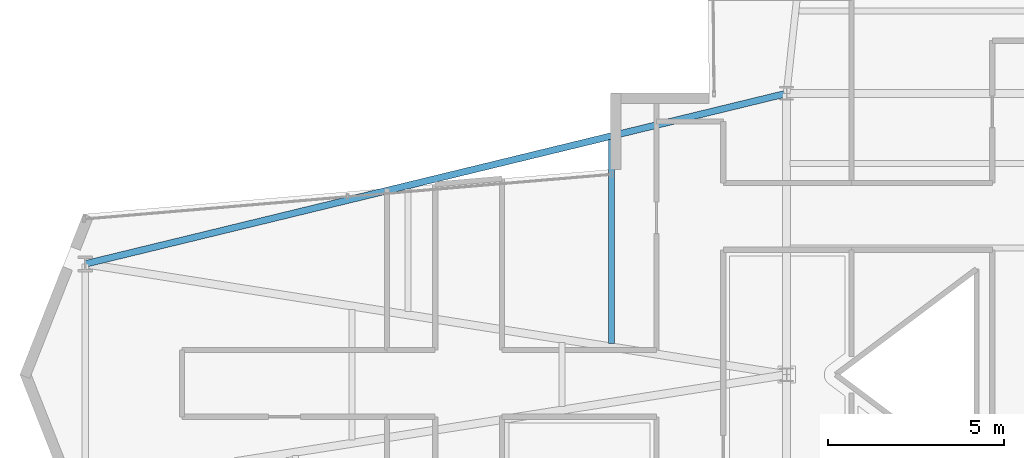
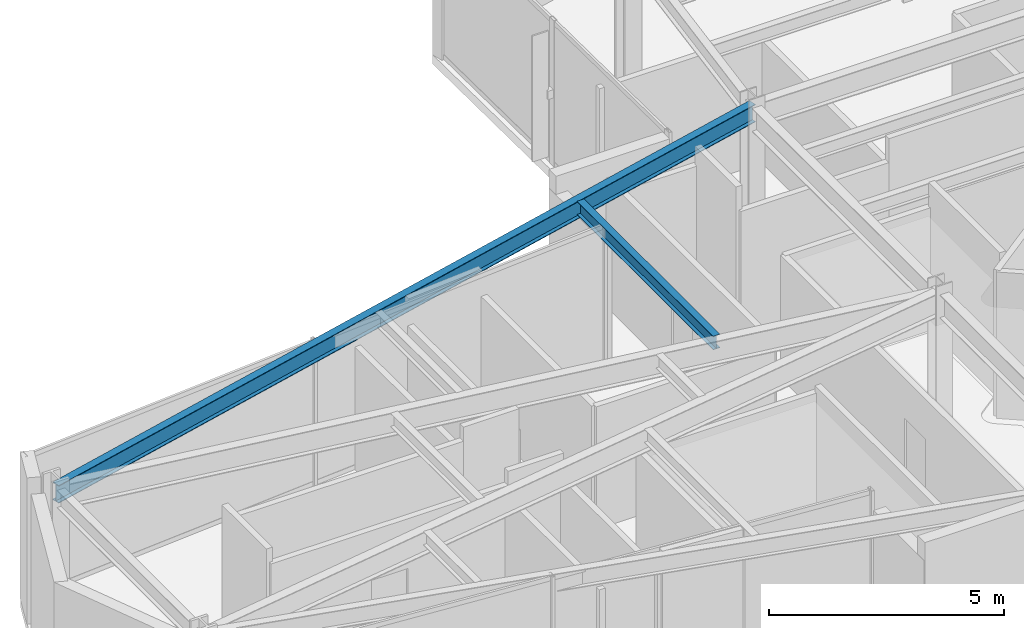
# One storey, part 9 of 25: 2 beams.
"""IFC4 building model written with IfcOpenShell, lengths in metres."""

from ifc_helpers import new_model, si_unit, direction, frame, origin, origin_2d, place, context, subcontext, project, spatial, i_section, extrude, material, material_profile, profile_set, type_object, element, save


model = new_model("IFC4")

# Units and contexts
model_context = context("Model", 3, precision=1e-05, world=origin(), true_north=direction((0.0, 1.0)))
body_context = subcontext(model_context, "Body", "Model", "MODEL_VIEW")
ifc_project = project(units=[si_unit("LENGTHUNIT", "METRE"), si_unit("AREAUNIT", "SQUARE_METRE"), si_unit("VOLUMEUNIT", "CUBIC_METRE"), si_unit("PLANEANGLEUNIT", "RADIAN"), si_unit("MASSUNIT", "GRAM", prefix="KILO")], contexts=[model_context])

# Site, building, storey
site_placement = place(None, origin())
site = spatial("IfcSite", under=ifc_project, at=site_placement, CompositionType="ELEMENT")
building_placement = place(site_placement, origin())
building = spatial("IfcBuilding", under=site, at=building_placement, Name="Veymaron Broadcast Tower", CompositionType="ELEMENT")
storey_placement = place(building_placement, frame((0.0, 0.0, 145.199951171875)))
storey = spatial("IfcBuildingStorey", under=building, at=storey_placement, Name="L33", CompositionType="ELEMENT", Elevation=145.199951171875)

# Beams
ifc_material = material(Name="Structural steel ASTM A992 Gr 50", Category="steel")
ifc_material_profile_1 = material_profile(ifc_material, i_section(OverallWidth=0.1708984375, OverallDepth=0.35498046875, WebThickness=0.007080078125, FlangeThickness=0.01171875, at=origin_2d()), Name="W360X51")
ifc_profile_set_1 = profile_set([ifc_material_profile_1], Name="Structural steel ASTM A992 Gr 50")
beam_type_1 = type_object("IfcBeamType", Name="BM-JS2", PredefinedType="JOIST", material=ifc_profile_set_1)
beam_1_placement = place(storey_placement, frame((26.21240234375, 24.887451171875, 3.632568359375), z_axis=(0.0, 1.0, 0.0), x_axis=(-1.0, 0.0, 0.0)))
element("IfcBeam", 1, at=beam_1_placement, inside=storey, type_object=beam_type_1, Name="L33 Arm-A secondary joist 2N", PredefinedType="JOIST", context=body_context, shape_type="SweptSolid", body=[
    extrude(i_section(OverallWidth=0.1708984375, OverallDepth=0.35498046875, WebThickness=0.007080078125, FlangeThickness=0.01171875, at=origin_2d()), origin(), (0.0, 0.0, 1.0), 5.800048828125),
])
ifc_material_profile_2 = material_profile(ifc_material, i_section(OverallWidth=0.19091796875, OverallDepth=0.4599609375, WebThickness=0.010009765625, FlangeThickness=0.01611328125, at=origin_2d()), Name="W460X82")
ifc_profile_set_2 = profile_set([ifc_material_profile_2], Name="Structural steel ASTM A992 Gr 50")
beam_type_2 = type_object("IfcBeamType", Name="BM-SP1", PredefinedType="SPANDREL", material=ifc_profile_set_2)
beam_2_placement = place(storey_placement, frame((11.25, 27.14990234375, 3.580078125), z_axis=(0.971696602386, 0.236232328251, 0.0), x_axis=(-0.236232328251, 0.971696602386, 0.0)))
element("IfcBeam", 2, at=beam_2_placement, inside=storey, type_object=beam_type_2, Name="L33 primary structural floor girder", PredefinedType="SPANDREL", context=body_context, shape_type="SweptSolid", body=[
    extrude(i_section(OverallWidth=0.19091796875, OverallDepth=0.4599609375, WebThickness=0.010009765625, FlangeThickness=0.01611328125, at=origin_2d()), origin(), (0.0, 0.0, 1.0), 20.531005859375),
])

save(model, "model.ifc")
